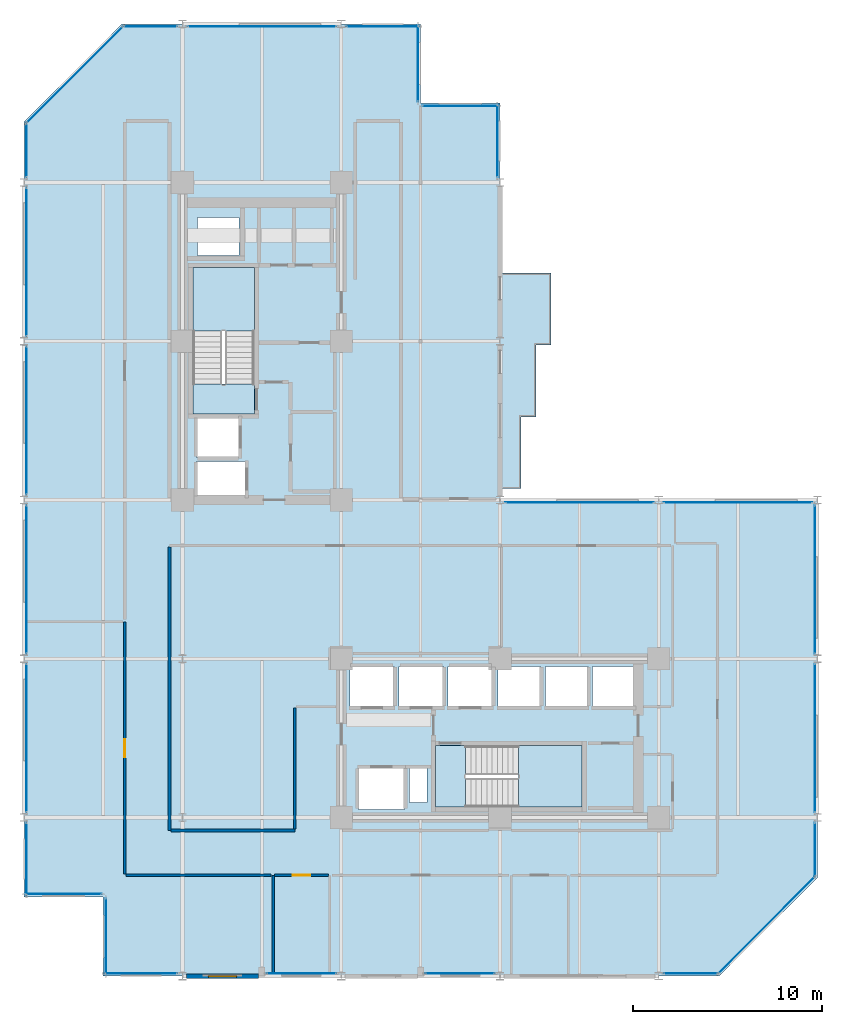
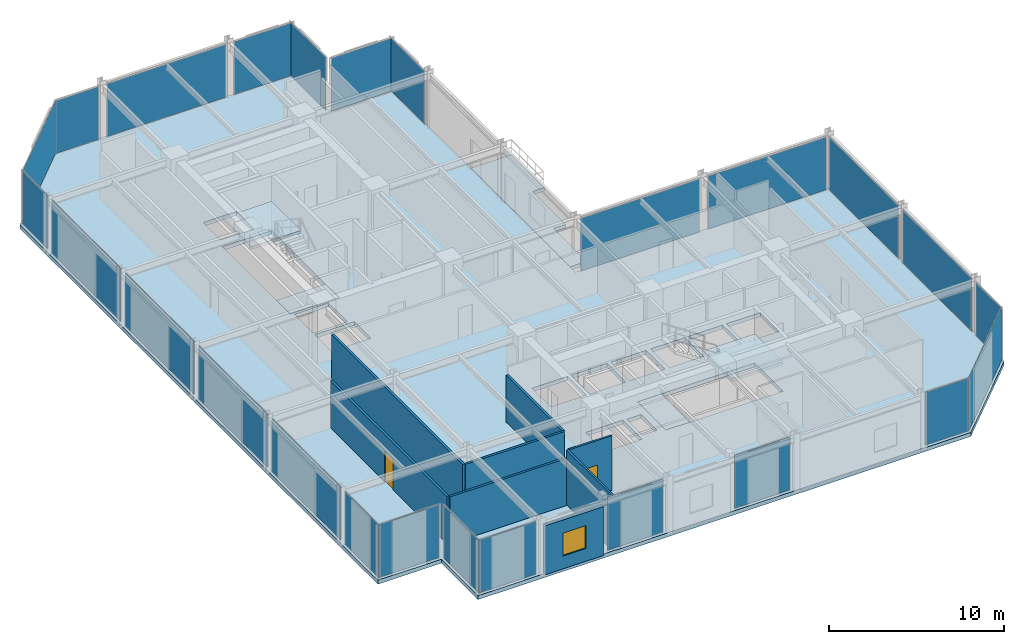
# One storey, part 23 of 29: 25 plates, 8 walls, 6 slabs, 2 doors, 1 window, 3 openings, 27 elements without a shape of their own.
"""IFC4 building model written with IfcOpenShell, lengths in metres."""

from ifc_helpers import new_model, si_unit, direction, frame, frame_2d, origin, origin_2d, place, context, subcontext, project, spatial, polyline, rectangle, outline, extrude, material, layer, layer_set, type_object, element, fill, aggregate, save


model = new_model("IFC4")

# Units and contexts
model_context = context("Model", 3, precision=1e-05, world=origin(), true_north=direction((0.0, 1.0)))
body_context = subcontext(model_context, "Body", "Model", "MODEL_VIEW")
ifc_project = project(units=[si_unit("LENGTHUNIT", "METRE"), si_unit("AREAUNIT", "SQUARE_METRE"), si_unit("VOLUMEUNIT", "CUBIC_METRE"), si_unit("PLANEANGLEUNIT", "RADIAN"), si_unit("MASSUNIT", "GRAM", prefix="KILO")], contexts=[model_context])

# Site, building, storey
site_placement = place(None, origin())
site = spatial("IfcSite", under=ifc_project, at=site_placement, CompositionType="ELEMENT")
building_placement = place(site_placement, origin())
building = spatial("IfcBuilding", under=site, at=building_placement, Name="Nerrivon Quay Data Exchange", CompositionType="ELEMENT")
storey_placement = place(building_placement, frame((0.0, 0.0, 125.39990234375)))
storey = spatial("IfcBuildingStorey", under=building, at=storey_placement, Name="L29", CompositionType="ELEMENT", Elevation=125.39990234375)

# Curtain wall, plate
ifc_material_1 = material(Name="Anodised aluminium 6063-T6", Category="aluminium")
ifc_layer_1 = layer(ifc_material_1, 0.2099609375)
ifc_layer_set_1 = layer_set([ifc_layer_1], Name="Anodised aluminium 6063-T6")
curtain_wall_type = type_object("IfcCurtainWallType", Name="CW-SYS-02", PredefinedType="NOTDEFINED", material=ifc_layer_set_1)
curtain_wall_1_placement = place(storey_placement, origin())
curtain_wall_1 = element("IfcCurtainWall", 1, at=curtain_wall_1_placement, inside=storey, type_object=curtain_wall_type, Name="L29 Unitised Curtain Wall 1", PredefinedType="NOTDEFINED")
ifc_material_2 = material(Name="Double-glazed low-E solar control glass", Category="glass")
ifc_layer_2 = layer(ifc_material_2, 0.028076171875)
ifc_layer_set_2 = layer_set([ifc_layer_2], Name="Double-glazed low-E solar control glass")
plate_type = type_object("IfcPlateType", Name="CWP-GLZ-28", PredefinedType="CURTAIN_PANEL", material=ifc_layer_set_2)
plate_1_placement = place(storey_placement, frame((39.301025390625, 2.698974609375, 0.06494140625), z_axis=(0.0, 0.0, 1.0), x_axis=(-0.707106781187, -0.707106781187, 0.0)))
plate_1 = element("IfcPlate", 2, at=plate_1_placement, type_object=plate_type, Name="CW02 panel 1.1", PredefinedType="CURTAIN_PANEL", context=body_context, shape_type="SweptSolid", body=[
    extrude(rectangle(XDim=7.203857421875, YDim=0.028076171875, at=origin_2d()), origin(), (0.0, 0.0, 1.0), 3.695068359375),
])
aggregate(curtain_wall_1, [plate_1])

curtain_wall_2_placement = place(storey_placement, origin())
curtain_wall_2 = element("IfcCurtainWall", 3, at=curtain_wall_2_placement, inside=storey, type_object=curtain_wall_type, Name="L29 Unitised Curtain Wall 2", PredefinedType="NOTDEFINED")
plate_2_placement = place(storey_placement, frame((35.300048828125, 0.139892578125, 0.06494140625), z_axis=(0.0, 0.0, 1.0), x_axis=(-1.0, 0.0, 0.0)))
plate_2 = element("IfcPlate", 4, at=plate_2_placement, type_object=plate_type, Name="CW02 panel 1.1", PredefinedType="CURTAIN_PANEL", context=body_context, shape_type="SweptSolid", body=[
    extrude(rectangle(XDim=2.85009765625, YDim=0.028076171875, at=origin_2d()), origin(), (0.0, 0.0, 1.0), 3.695068359375),
])
aggregate(curtain_wall_2, [plate_2])

curtain_wall_3_placement = place(storey_placement, origin())
curtain_wall_3 = element("IfcCurtainWall", 5, at=curtain_wall_3_placement, inside=storey, type_object=curtain_wall_type, Name="L29 Unitised Curtain Wall 4", PredefinedType="NOTDEFINED")
plate_3_placement = place(storey_placement, frame((23.08740234375, 0.139892578125, 0.06494140625), z_axis=(0.0, 0.0, 1.0), x_axis=(-1.0, 0.0, 0.0)))
plate_3 = element("IfcPlate", 6, at=plate_3_placement, type_object=plate_type, Name="CW02 panel 1.1", PredefinedType="CURTAIN_PANEL", context=body_context, shape_type="SweptSolid", body=[
    extrude(rectangle(XDim=3.675048828125, YDim=0.028076171875, at=origin_2d()), origin(), (0.0, 0.0, 1.0), 3.695068359375),
])
aggregate(curtain_wall_3, [plate_3])

curtain_wall_4_placement = place(storey_placement, origin())
curtain_wall_4 = element("IfcCurtainWall", 7, at=curtain_wall_4_placement, inside=storey, type_object=curtain_wall_type, Name="L29 Unitised Curtain Wall 6", PredefinedType="NOTDEFINED")
plate_4_placement = place(storey_placement, frame((14.6875, 0.139892578125, 0.06494140625), z_axis=(0.0, 0.0, 1.0), x_axis=(-1.0, 0.0, 0.0)))
plate_4 = element("IfcPlate", 8, at=plate_4_placement, type_object=plate_type, Name="CW02 panel 1.1", PredefinedType="CURTAIN_PANEL", context=body_context, shape_type="SweptSolid", body=[
    extrude(rectangle(XDim=3.675048828125, YDim=0.028076171875, at=origin_2d()), origin(), (0.0, 0.0, 1.0), 3.695068359375),
])
aggregate(curtain_wall_4, [plate_4])

curtain_wall_5_placement = place(storey_placement, origin())
curtain_wall_5 = element("IfcCurtainWall", 9, at=curtain_wall_5_placement, inside=storey, type_object=curtain_wall_type, Name="L29 Unitised Curtain Wall 8", PredefinedType="NOTDEFINED")
plate_5_placement = place(storey_placement, frame((6.199951171875, 0.139892578125, 0.06494140625), z_axis=(0.0, 0.0, 1.0), x_axis=(-1.0, 0.0, 0.0)))
plate_5 = element("IfcPlate", 10, at=plate_5_placement, type_object=plate_type, Name="CW02 panel 1.1", PredefinedType="CURTAIN_PANEL", context=body_context, shape_type="SweptSolid", body=[
    extrude(rectangle(XDim=3.85009765625, YDim=0.028076171875, at=origin_2d()), origin(), (0.0, 0.0, 1.0), 3.695068359375),
])
aggregate(curtain_wall_5, [plate_5])

curtain_wall_6_placement = place(storey_placement, origin())
curtain_wall_6 = element("IfcCurtainWall", 11, at=curtain_wall_6_placement, inside=storey, type_object=curtain_wall_type, Name="L29 Unitised Curtain Wall 9", PredefinedType="NOTDEFINED")
plate_6_placement = place(storey_placement, frame((4.340087890625, 2.10009765625, 0.06494140625), z_axis=(0.0, 0.0, 1.0), x_axis=(0.0, 1.0, 0.0)))
plate_6 = element("IfcPlate", 12, at=plate_6_placement, type_object=plate_type, Name="CW02 panel 1.1", PredefinedType="CURTAIN_PANEL", context=body_context, shape_type="SweptSolid", body=[
    extrude(rectangle(XDim=4.050048828125, YDim=0.028076171875, at=origin_2d()), origin(), (0.0, 0.0, 1.0), 3.695068359375),
])
aggregate(curtain_wall_6, [plate_6])

curtain_wall_7_placement = place(storey_placement, origin())
curtain_wall_7 = element("IfcCurtainWall", 13, at=curtain_wall_7_placement, inside=storey, type_object=curtain_wall_type, Name="L29 Unitised Curtain Wall 10", PredefinedType="NOTDEFINED")
plate_7_placement = place(storey_placement, frame((2.10009765625, 4.340087890625, 0.06494140625), z_axis=(0.0, 0.0, 1.0), x_axis=(-1.0, 0.0, 0.0)))
plate_7 = element("IfcPlate", 14, at=plate_7_placement, type_object=plate_type, Name="CW02 panel 1.1", PredefinedType="CURTAIN_PANEL", context=body_context, shape_type="SweptSolid", body=[
    extrude(rectangle(XDim=4.050048828125, YDim=0.028076171875, at=origin_2d()), origin(), (0.0, 0.0, 1.0), 3.695068359375),
])
aggregate(curtain_wall_7, [plate_7])

curtain_wall_8_placement = place(storey_placement, origin())
curtain_wall_8 = element("IfcCurtainWall", 15, at=curtain_wall_8_placement, inside=storey, type_object=curtain_wall_type, Name="L29 Unitised Curtain Wall 11", PredefinedType="NOTDEFINED")
plate_8_placement = place(storey_placement, frame((0.139892578125, 6.199951171875, 0.06494140625), z_axis=(0.0, 0.0, 1.0), x_axis=(0.0, 1.0, 0.0)))
plate_8 = element("IfcPlate", 16, at=plate_8_placement, type_object=plate_type, Name="CW02 panel 1.1", PredefinedType="CURTAIN_PANEL", context=body_context, shape_type="SweptSolid", body=[
    extrude(rectangle(XDim=3.85009765625, YDim=0.028076171875, at=origin_2d()), origin(), (0.0, 0.0, 1.0), 3.695068359375),
])
aggregate(curtain_wall_8, [plate_8])

curtain_wall_9_placement = place(storey_placement, origin())
curtain_wall_9 = element("IfcCurtainWall", 17, at=curtain_wall_9_placement, inside=storey, type_object=curtain_wall_type, Name="L29 Unitised Curtain Wall 12", PredefinedType="NOTDEFINED")
plate_9_placement = place(storey_placement, frame((0.139892578125, 12.60009765625, 0.06494140625), z_axis=(0.0, 0.0, 1.0), x_axis=(0.0, 1.0, 0.0)))
plate_9 = element("IfcPlate", 18, at=plate_9_placement, type_object=plate_type, Name="CW02 panel 1.1", PredefinedType="CURTAIN_PANEL", context=body_context, shape_type="SweptSolid", body=[
    extrude(rectangle(XDim=7.85009765625, YDim=0.028076171875, at=origin_2d()), origin(), (0.0, 0.0, 1.0), 3.695068359375),
])
aggregate(curtain_wall_9, [plate_9])

curtain_wall_10_placement = place(storey_placement, origin())
curtain_wall_10 = element("IfcCurtainWall", 19, at=curtain_wall_10_placement, inside=storey, type_object=curtain_wall_type, Name="L29 Unitised Curtain Wall 13", PredefinedType="NOTDEFINED")
plate_10_placement = place(storey_placement, frame((0.139892578125, 21.0, 0.06494140625), z_axis=(0.0, 0.0, 1.0), x_axis=(0.0, 1.0, 0.0)))
plate_10 = element("IfcPlate", 20, at=plate_10_placement, type_object=plate_type, Name="CW02 panel 1.1", PredefinedType="CURTAIN_PANEL", context=body_context, shape_type="SweptSolid", body=[
    extrude(rectangle(XDim=7.85009765625, YDim=0.028076171875, at=origin_2d()), origin(), (0.0, 0.0, 1.0), 3.695068359375),
])
aggregate(curtain_wall_10, [plate_10])

curtain_wall_11_placement = place(storey_placement, origin())
curtain_wall_11 = element("IfcCurtainWall", 21, at=curtain_wall_11_placement, inside=storey, type_object=curtain_wall_type, Name="L29 Unitised Curtain Wall 14", PredefinedType="NOTDEFINED")
plate_11_placement = place(storey_placement, frame((0.139892578125, 29.39990234375, 0.06494140625), z_axis=(0.0, 0.0, 1.0), x_axis=(0.0, 1.0, 0.0)))
plate_11 = element("IfcPlate", 22, at=plate_11_placement, type_object=plate_type, Name="CW02 panel 1.1", PredefinedType="CURTAIN_PANEL", context=body_context, shape_type="SweptSolid", body=[
    extrude(rectangle(XDim=7.85009765625, YDim=0.028076171875, at=origin_2d()), origin(), (0.0, 0.0, 1.0), 3.695068359375),
])
aggregate(curtain_wall_11, [plate_11])

curtain_wall_12_placement = place(storey_placement, origin())
curtain_wall_12 = element("IfcCurtainWall", 23, at=curtain_wall_12_placement, inside=storey, type_object=curtain_wall_type, Name="L29 Unitised Curtain Wall 15", PredefinedType="NOTDEFINED")
plate_12_placement = place(storey_placement, frame((0.139892578125, 37.800048828125, 0.06494140625), z_axis=(0.0, 0.0, 1.0), x_axis=(0.0, 1.0, 0.0)))
plate_12 = element("IfcPlate", 24, at=plate_12_placement, type_object=plate_type, Name="CW02 panel 1.1", PredefinedType="CURTAIN_PANEL", context=body_context, shape_type="SweptSolid", body=[
    extrude(rectangle(XDim=7.85009765625, YDim=0.028076171875, at=origin_2d()), origin(), (0.0, 0.0, 1.0), 3.695068359375),
])
aggregate(curtain_wall_12, [plate_12])

curtain_wall_13_placement = place(storey_placement, origin())
curtain_wall_13 = element("IfcCurtainWall", 25, at=curtain_wall_13_placement, inside=storey, type_object=curtain_wall_type, Name="L29 Unitised Curtain Wall 16", PredefinedType="NOTDEFINED")
plate_13_placement = place(storey_placement, frame((0.139892578125, 43.699951171875, 0.06494140625), z_axis=(0.0, 0.0, 1.0), x_axis=(0.0, 1.0, 0.0)))
plate_13 = element("IfcPlate", 26, at=plate_13_placement, type_object=plate_type, Name="CW02 panel 1.1", PredefinedType="CURTAIN_PANEL", context=body_context, shape_type="SweptSolid", body=[
    extrude(rectangle(XDim=2.85009765625, YDim=0.028076171875, at=origin_2d()), origin(), (0.0, 0.0, 1.0), 3.695068359375),
])
aggregate(curtain_wall_13, [plate_13])

curtain_wall_14_placement = place(storey_placement, origin())
curtain_wall_14 = element("IfcCurtainWall", 27, at=curtain_wall_14_placement, inside=storey, type_object=curtain_wall_type, Name="L29 Unitised Curtain Wall 17", PredefinedType="NOTDEFINED")
plate_14_placement = place(storey_placement, frame((2.698974609375, 47.700927734375, 0.06494140625), z_axis=(0.0, 0.0, 1.0), x_axis=(0.707106781187, 0.707106781187, 0.0)))
plate_14 = element("IfcPlate", 28, at=plate_14_placement, type_object=plate_type, Name="CW02 panel 1.1", PredefinedType="CURTAIN_PANEL", context=body_context, shape_type="SweptSolid", body=[
    extrude(rectangle(XDim=7.203857421875, YDim=0.028076171875, at=origin_2d()), origin(), (0.0, 0.0, 1.0), 3.695068359375),
])
aggregate(curtain_wall_14, [plate_14])

curtain_wall_15_placement = place(storey_placement, origin())
curtain_wall_15 = element("IfcCurtainWall", 29, at=curtain_wall_15_placement, inside=storey, type_object=curtain_wall_type, Name="L29 Unitised Curtain Wall 18", PredefinedType="NOTDEFINED")
plate_15_placement = place(storey_placement, frame((6.699951171875, 50.260009765625, 0.06494140625), z_axis=(0.0, 0.0, 1.0), x_axis=(1.0, 0.0, 0.0)))
plate_15 = element("IfcPlate", 30, at=plate_15_placement, type_object=plate_type, Name="CW02 panel 1.1", PredefinedType="CURTAIN_PANEL", context=body_context, shape_type="SweptSolid", body=[
    extrude(rectangle(XDim=2.85009765625, YDim=0.028076171875, at=origin_2d()), origin(), (0.0, 0.0, 1.0), 3.695068359375),
])
aggregate(curtain_wall_15, [plate_15])

curtain_wall_16_placement = place(storey_placement, origin())
curtain_wall_16 = element("IfcCurtainWall", 31, at=curtain_wall_16_placement, inside=storey, type_object=curtain_wall_type, Name="L29 Unitised Curtain Wall 19", PredefinedType="NOTDEFINED")
plate_16_placement = place(storey_placement, frame((12.60009765625, 50.260009765625, 0.06494140625), z_axis=(0.0, 0.0, 1.0), x_axis=(1.0, 0.0, 0.0)))
plate_16 = element("IfcPlate", 32, at=plate_16_placement, type_object=plate_type, Name="CW02 panel 1.1", PredefinedType="CURTAIN_PANEL", context=body_context, shape_type="SweptSolid", body=[
    extrude(rectangle(XDim=7.85009765625, YDim=0.028076171875, at=origin_2d()), origin(), (0.0, 0.0, 1.0), 3.695068359375),
])
aggregate(curtain_wall_16, [plate_16])

curtain_wall_17_placement = place(storey_placement, origin())
curtain_wall_17 = element("IfcCurtainWall", 33, at=curtain_wall_17_placement, inside=storey, type_object=curtain_wall_type, Name="L29 Unitised Curtain Wall 20", PredefinedType="NOTDEFINED")
plate_17_placement = place(storey_placement, frame((19.0, 50.260009765625, 0.06494140625), z_axis=(0.0, 0.0, 1.0), x_axis=(1.0, 0.0, 0.0)))
plate_17 = element("IfcPlate", 34, at=plate_17_placement, type_object=plate_type, Name="CW02 panel 1.1", PredefinedType="CURTAIN_PANEL", context=body_context, shape_type="SweptSolid", body=[
    extrude(rectangle(XDim=3.85009765625, YDim=0.028076171875, at=origin_2d()), origin(), (0.0, 0.0, 1.0), 3.695068359375),
])
aggregate(curtain_wall_17, [plate_17])

curtain_wall_18_placement = place(storey_placement, origin())
curtain_wall_18 = element("IfcCurtainWall", 35, at=curtain_wall_18_placement, inside=storey, type_object=curtain_wall_type, Name="L29 Unitised Curtain Wall 21", PredefinedType="NOTDEFINED")
plate_18_placement = place(storey_placement, frame((20.860107421875, 48.300048828125, 0.06494140625), z_axis=(0.0, 0.0, 1.0), x_axis=(0.0, -1.0, 0.0)))
plate_18 = element("IfcPlate", 36, at=plate_18_placement, type_object=plate_type, Name="CW02 panel 1.1", PredefinedType="CURTAIN_PANEL", context=body_context, shape_type="SweptSolid", body=[
    extrude(rectangle(XDim=4.050048828125, YDim=0.028076171875, at=origin_2d()), origin(), (0.0, 0.0, 1.0), 3.695068359375),
])
aggregate(curtain_wall_18, [plate_18])

curtain_wall_19_placement = place(storey_placement, origin())
curtain_wall_19 = element("IfcCurtainWall", 37, at=curtain_wall_19_placement, inside=storey, type_object=curtain_wall_type, Name="L29 Unitised Curtain Wall 22", PredefinedType="NOTDEFINED")
plate_19_placement = place(storey_placement, frame((23.10009765625, 46.06005859375, 0.06494140625), z_axis=(0.0, 0.0, 1.0), x_axis=(1.0, 0.0, 0.0)))
plate_19 = element("IfcPlate", 38, at=plate_19_placement, type_object=plate_type, Name="CW02 panel 1.1", PredefinedType="CURTAIN_PANEL", context=body_context, shape_type="SweptSolid", body=[
    extrude(rectangle(XDim=4.050048828125, YDim=0.028076171875, at=origin_2d()), origin(), (0.0, 0.0, 1.0), 3.695068359375),
])
aggregate(curtain_wall_19, [plate_19])

curtain_wall_20_placement = place(storey_placement, origin())
curtain_wall_20 = element("IfcCurtainWall", 39, at=curtain_wall_20_placement, inside=storey, type_object=curtain_wall_type, Name="L29 Unitised Curtain Wall 23", PredefinedType="NOTDEFINED")
plate_20_placement = place(storey_placement, frame((25.06005859375, 44.199951171875, 0.06494140625), z_axis=(0.0, 0.0, 1.0), x_axis=(0.0, -1.0, 0.0)))
plate_20 = element("IfcPlate", 40, at=plate_20_placement, type_object=plate_type, Name="CW02 panel 1.1", PredefinedType="CURTAIN_PANEL", context=body_context, shape_type="SweptSolid", body=[
    extrude(rectangle(XDim=3.85009765625, YDim=0.028076171875, at=origin_2d()), origin(), (0.0, 0.0, 1.0), 3.695068359375),
])
aggregate(curtain_wall_20, [plate_20])

curtain_wall_21_placement = place(storey_placement, origin())
curtain_wall_21 = element("IfcCurtainWall", 41, at=curtain_wall_21_placement, inside=storey, type_object=curtain_wall_type, Name="L29 Unitised Curtain Wall 26", PredefinedType="NOTDEFINED")
plate_21_placement = place(storey_placement, frame((29.39990234375, 25.06005859375, 0.06494140625), z_axis=(0.0, 0.0, 1.0), x_axis=(1.0, 0.0, 0.0)))
plate_21 = element("IfcPlate", 42, at=plate_21_placement, type_object=plate_type, Name="CW02 panel 1.1", PredefinedType="CURTAIN_PANEL", context=body_context, shape_type="SweptSolid", body=[
    extrude(rectangle(XDim=7.85009765625, YDim=0.028076171875, at=origin_2d()), origin(), (0.0, 0.0, 1.0), 3.695068359375),
])
aggregate(curtain_wall_21, [plate_21])

curtain_wall_22_placement = place(storey_placement, origin())
curtain_wall_22 = element("IfcCurtainWall", 43, at=curtain_wall_22_placement, inside=storey, type_object=curtain_wall_type, Name="L29 Unitised Curtain Wall 27", PredefinedType="NOTDEFINED")
plate_22_placement = place(storey_placement, frame((37.800048828125, 25.06005859375, 0.06494140625), z_axis=(0.0, 0.0, 1.0), x_axis=(1.0, 0.0, 0.0)))
plate_22 = element("IfcPlate", 44, at=plate_22_placement, type_object=plate_type, Name="CW02 panel 1.1", PredefinedType="CURTAIN_PANEL", context=body_context, shape_type="SweptSolid", body=[
    extrude(rectangle(XDim=7.85009765625, YDim=0.028076171875, at=origin_2d()), origin(), (0.0, 0.0, 1.0), 3.695068359375),
])
aggregate(curtain_wall_22, [plate_22])

curtain_wall_23_placement = place(storey_placement, origin())
curtain_wall_23 = element("IfcCurtainWall", 45, at=curtain_wall_23_placement, inside=storey, type_object=curtain_wall_type, Name="L29 Unitised Curtain Wall 28", PredefinedType="NOTDEFINED")
plate_23_placement = place(storey_placement, frame((41.860107421875, 21.0, 0.06494140625), z_axis=(0.0, 0.0, 1.0), x_axis=(0.0, -1.0, 0.0)))
plate_23 = element("IfcPlate", 46, at=plate_23_placement, type_object=plate_type, Name="CW02 panel 1.1", PredefinedType="CURTAIN_PANEL", context=body_context, shape_type="SweptSolid", body=[
    extrude(rectangle(XDim=7.85009765625, YDim=0.028076171875, at=origin_2d()), origin(), (0.0, 0.0, 1.0), 3.695068359375),
])
aggregate(curtain_wall_23, [plate_23])

curtain_wall_24_placement = place(storey_placement, origin())
curtain_wall_24 = element("IfcCurtainWall", 47, at=curtain_wall_24_placement, inside=storey, type_object=curtain_wall_type, Name="L29 Unitised Curtain Wall 29", PredefinedType="NOTDEFINED")
plate_24_placement = place(storey_placement, frame((41.860107421875, 12.60009765625, 0.06494140625), z_axis=(0.0, 0.0, 1.0), x_axis=(0.0, -1.0, 0.0)))
plate_24 = element("IfcPlate", 48, at=plate_24_placement, type_object=plate_type, Name="CW02 panel 1.1", PredefinedType="CURTAIN_PANEL", context=body_context, shape_type="SweptSolid", body=[
    extrude(rectangle(XDim=7.85009765625, YDim=0.028076171875, at=origin_2d()), origin(), (0.0, 0.0, 1.0), 3.695068359375),
])
aggregate(curtain_wall_24, [plate_24])

curtain_wall_25_placement = place(storey_placement, origin())
curtain_wall_25 = element("IfcCurtainWall", 49, at=curtain_wall_25_placement, inside=storey, type_object=curtain_wall_type, Name="L29 Unitised Curtain Wall 30", PredefinedType="NOTDEFINED")
plate_25_placement = place(storey_placement, frame((41.860107421875, 6.699951171875, 0.06494140625), z_axis=(0.0, 0.0, 1.0), x_axis=(0.0, -1.0, 0.0)))
plate_25 = element("IfcPlate", 50, at=plate_25_placement, type_object=plate_type, Name="CW02 panel 1.1", PredefinedType="CURTAIN_PANEL", context=body_context, shape_type="SweptSolid", body=[
    extrude(rectangle(XDim=2.85009765625, YDim=0.028076171875, at=origin_2d()), origin(), (0.0, 0.0, 1.0), 3.695068359375),
])
aggregate(curtain_wall_25, [plate_25])

# Slab
ifc_material_3 = material(Name="Precast white architectural concrete N50 (50 MPa)", Category="concrete")
ifc_layer_3 = layer(ifc_material_3, 0.25)
ifc_layer_set_3 = layer_set([ifc_layer_3], Name="Precast white architectural concrete N50 (50 MPa)")
slab_type_1 = type_object("IfcSlabType", Name="SLB-BAL-250", PredefinedType="FLOOR", material=ifc_layer_set_3)
slab_1_placement = place(storey_placement, frame((0.0, 0.0, -0.25)))
element("IfcSlab", 51, at=slab_1_placement, inside=storey, type_object=slab_type_1, Name="L29 Waterfront Subtropical Verandah", PredefinedType="FLOOR", context=body_context, shape_type="SweptSolid", body=[
    extrude(outline(polyline([(26.300048828125, 29.60009765625), (27.10009765625, 29.60009765625), (27.10009765625, 33.39990234375), (27.89990234375, 33.39990234375), (27.89990234375, 37.199951171875), (25.199951171875, 37.199951171875), (25.199951171875, 33.39990234375), (25.199951171875, 29.60009765625), (25.199951171875, 25.800048828125), (26.300048828125, 25.800048828125), (26.300048828125, 29.60009765625)])), origin(), (0.0, 0.0, 1.0), 0.25),
])

# Stair, slab
ifc_material_4 = material(Name="Concrete N50 (50 MPa)", Category="concrete")
stair_type = type_object("IfcStairType", Name="STAIR-DOG-41", PredefinedType="HALF_TURN_STAIR", material=ifc_material_4)
stair_1_placement = place(storey_placement, origin())
stair_1 = element("IfcStair", 52, at=stair_1_placement, inside=storey, type_object=stair_type, Name="L29 West Core Fire Stair ST01", PredefinedType="HALF_TURN_STAIR")
ifc_layer_4 = layer(ifc_material_4, 0.199951171875)
ifc_layer_set_4 = layer_set([ifc_layer_4], Name="Concrete N50 (50 MPa)")
slab_type_2 = type_object("IfcSlabType", Name="SLB-LAND-200", PredefinedType="LANDING", material=ifc_layer_set_4)
slab_2_placement = place(storey_placement, frame((0.0, 0.0, 1.85009765625)))
slab_2 = element("IfcSlab", 53, at=slab_2_placement, type_object=slab_type_2, Name="ST01 landing 1", PredefinedType="LANDING", context=body_context, shape_type="SweptSolid", body=[
    extrude(outline(polyline([(12.199951171875, 34.1298828125), (12.199951171875, 37.5), (8.949951171875, 37.5), (8.949951171875, 34.1298828125), (12.199951171875, 34.1298828125)])), origin(), (0.0, 0.0, 1.0), 0.199951171875),
])
aggregate(stair_1, [slab_2])

# Slab
slab_3_placement = place(storey_placement, frame((0.0, 0.0, -0.199951171875)))
element("IfcSlab", 54, at=slab_3_placement, inside=storey, type_object=slab_type_2, Name="L29 ST01 floor landing", PredefinedType="LANDING", context=body_context, shape_type="SweptSolid", body=[
    extrude(outline(polyline([(12.199951171875, 29.75), (12.199951171875, 31.330078125), (8.949951171875, 31.330078125), (8.949951171875, 29.75), (12.199951171875, 29.75)])), origin(), (0.0, 0.0, 1.0), 0.199951171875),
])

# Stair, slab
stair_2_placement = place(storey_placement, origin())
stair_2 = element("IfcStair", 55, at=stair_2_placement, inside=storey, type_object=stair_type, Name="L29 East Core Fire Stair ST02", PredefinedType="HALF_TURN_STAIR")
slab_4_placement = place(storey_placement, frame((0.0, 0.0, 1.85009765625)))
slab_4 = element("IfcSlab", 56, at=slab_4_placement, type_object=slab_type_2, Name="ST02 landing 1", PredefinedType="LANDING", context=body_context, shape_type="SweptSolid", body=[
    extrude(outline(polyline([(26.179931640625, 8.949951171875), (29.550048828125, 8.949951171875), (29.550048828125, 12.199951171875), (26.179931640625, 12.199951171875), (26.179931640625, 8.949951171875)])), origin(), (0.0, 0.0, 1.0), 0.199951171875),
])
aggregate(stair_2, [slab_4])

# Slabs
slab_5_placement = place(storey_placement, frame((0.0, 0.0, -0.199951171875)))
element("IfcSlab", 57, at=slab_5_placement, inside=storey, type_object=slab_type_2, Name="L29 ST02 floor landing", PredefinedType="LANDING", context=body_context, shape_type="SweptSolid", body=[
    extrude(outline(polyline([(21.800048828125, 8.949951171875), (23.3798828125, 8.949951171875), (23.3798828125, 12.199951171875), (21.800048828125, 12.199951171875), (21.800048828125, 8.949951171875)])), origin(), (0.0, 0.0, 1.0), 0.199951171875),
])
ifc_layer_5 = layer(ifc_material_4, 0.27490234375)
ifc_layer_set_5 = layer_set([ifc_layer_5], Name="Concrete N50 (50 MPa)")
slab_type_3 = type_object("IfcSlabType", Name="SLB-TOW-275", PredefinedType="FLOOR", material=ifc_layer_set_5)
slab_6_placement = place(storey_placement, frame((0.0, 0.0, -0.27490234375)))
element("IfcSlab", 58, at=slab_6_placement, inside=storey, type_object=slab_type_3, Name="L29 Primary Structural Slab", PredefinedType="FLOOR", context=body_context, shape_type="SweptSolid", body=[
    extrude(outline(polyline([(42.0, 25.199951171875), (25.199951171875, 25.199951171875), (25.199951171875, 46.199951171875), (21.0, 46.199951171875), (21.0, 50.39990234375), (5.199951171875, 50.39990234375), (0.0, 45.199951171875), (0.0, 4.199951171875), (4.199951171875, 4.199951171875), (4.199951171875, 0.0), (36.800048828125, 0.0), (42.0, 5.199951171875), (42.0, 25.199951171875)]), holes=[polyline([(8.949951171875, 29.75), (8.949951171875, 37.5), (12.199951171875, 37.5), (12.199951171875, 29.75), (8.949951171875, 29.75)]), polyline([(21.800048828125, 12.199951171875), (29.550048828125, 12.199951171875), (29.550048828125, 8.949951171875), (21.800048828125, 8.949951171875), (21.800048828125, 12.199951171875)]), polyline([(30.10009765625, 16.39990234375), (32.35009765625, 16.39990234375), (32.35009765625, 14.25), (30.10009765625, 14.25), (30.10009765625, 16.39990234375)]), polyline([(27.60009765625, 16.39990234375), (29.85009765625, 16.39990234375), (29.85009765625, 14.25), (27.60009765625, 14.25), (27.60009765625, 16.39990234375)]), polyline([(25.10009765625, 14.25), (25.10009765625, 16.39990234375), (27.35009765625, 16.39990234375), (27.35009765625, 14.25), (25.10009765625, 14.25)]), polyline([(22.449951171875, 16.39990234375), (24.800048828125, 16.39990234375), (24.800048828125, 14.25), (22.449951171875, 14.25), (22.449951171875, 16.39990234375)]), polyline([(19.85009765625, 16.39990234375), (22.199951171875, 16.39990234375), (22.199951171875, 14.25), (19.85009765625, 14.25), (19.85009765625, 16.39990234375)]), polyline([(20.39990234375, 9.199951171875), (20.39990234375, 11.0), (21.35009765625, 11.0), (21.35009765625, 9.199951171875), (20.39990234375, 9.199951171875)]), polyline([(17.699951171875, 8.830078125), (17.699951171875, 11.030029296875), (20.14990234375, 11.030029296875), (20.14990234375, 8.830078125), (17.699951171875, 8.830078125)]), polyline([(17.25, 14.25), (17.25, 16.39990234375), (19.60009765625, 16.39990234375), (19.60009765625, 14.25), (17.25, 14.25)]), polyline([(9.14990234375, 27.25), (11.75, 27.25), (11.75, 25.35009765625), (9.14990234375, 25.35009765625), (9.14990234375, 27.25)]), polyline([(9.14990234375, 29.60009765625), (11.39990234375, 29.60009765625), (11.39990234375, 27.449951171875), (9.14990234375, 27.449951171875), (9.14990234375, 29.60009765625)]), polyline([(9.199951171875, 38.14990234375), (9.199951171875, 40.14990234375), (11.39990234375, 40.14990234375), (11.39990234375, 38.14990234375), (9.199951171875, 38.14990234375)])]), origin(), (0.0, 0.0, 1.0), 0.27490234375),
])

# Wall, opening, window
ifc_material_5 = material(Name="Architectural terracotta precast concrete N50 (50 MPa)", Category="masonry")
ifc_layer_6 = layer(ifc_material_5, 0.239990234375)
ifc_layer_set_6 = layer_set([ifc_layer_6], Name="Architectural terracotta precast concrete N50 (50 MPa)")
wall_type_1 = type_object("IfcWallType", Name="EW-PREC-240", PredefinedType="STANDARD", material=ifc_layer_set_6)
wall_1_placement = place(storey_placement, frame((12.425048828125, 0.0, 0.0), z_axis=(0.0, 0.0, 1.0), x_axis=(-1.0, 0.0, 0.0)))
wall_1 = element("IfcWall", 59, at=wall_1_placement, inside=storey, type_object=wall_type_1, Name="L29 Podium Precast Spandrel Wall 7", PredefinedType="STANDARD", context=body_context, shape_type="SweptSolid", body=[
    extrude(rectangle(XDim=3.824951171875, YDim=0.239990234375, at=frame_2d((1.91259765625, 0.0))), origin(), (0.0, 0.0, 1.0), 3.422119140625),
])
opening_1_placement = place(wall_1_placement, frame((1.16259765625, 0.0, 0.89990234375)))
opening_1 = element("IfcOpeningElement", 60, at=opening_1_placement, cuts=wall_1, Name="Opening WN4", PredefinedType="OPENING", context=body_context, shape_type="SweptSolid", body=[
    extrude(rectangle(XDim=1.5, YDim=1.60009765625, at=frame_2d((0.75, 0.800048828125))), frame((0.0, 0.1298828125, 0.0), z_axis=(0.0, -1.0, 0.0), x_axis=(1.0, 0.0, 0.0)), (0.0, 0.0, 1.0), 0.260009765625),
])
window_type = type_object("IfcWindowType", Name="WIN-W4-1500x1600", PartitioningType="SINGLE_PANEL", PredefinedType="WINDOW", material=ifc_material_2)
window_placement = place(opening_1_placement, origin())
window = element("IfcWindow", 61, at=window_placement, inside=storey, type_object=window_type, Name="L29 Solar Facade Window 7", OverallHeight=1.60009765625, OverallWidth=1.5, PartitioningType="SINGLE_PANEL", PredefinedType="WINDOW", context=body_context, shape_type="SweptSolid", body=[
    extrude(rectangle(XDim=1.5, YDim=1.60009765625, at=frame_2d((0.75, 0.800048828125))), frame((0.0, 0.030029296875, 0.0), z_axis=(0.0, -1.0, 0.0), x_axis=(1.0, 0.0, 0.0)), (0.0, 0.0, 1.0), 0.06005859375),
])
fill(opening_1, window)

# Wall, opening, door
ifc_material_6 = material(Name="Gypsum plasterboard on cold-formed framing", Category="gypsum")
ifc_layer_7 = layer(ifc_material_6, 0.1201171875)
ifc_layer_set_7 = layer_set([ifc_layer_7], Name="Gypsum plasterboard on cold-formed framing")
wall_type_2 = type_object("IfcWallType", Name="WALL-PT-120", PredefinedType="PARTITIONING", material=ifc_layer_set_7)
wall_2_placement = place(storey_placement, frame((16.12841796875, 5.340087890625, 0.0), z_axis=(0.0, 0.0, 1.0), x_axis=(-1.0, 0.0, 0.0)))
wall_2 = element("IfcWall", 62, at=wall_2_placement, inside=storey, type_object=wall_type_2, Name="L29 Partition Accessible Toilet", PredefinedType="PARTITIONING", context=body_context, shape_type="SweptSolid", body=[
    extrude(rectangle(XDim=2.85693359375, YDim=0.1201171875, at=frame_2d((1.428466796875, 0.0))), origin(), (0.0, 0.0, 1.0), 3.8251953125),
])
opening_2_placement = place(wall_2_placement, frame((0.968505859375, 0.0, 0.0)))
opening_2 = element("IfcOpeningElement", 63, at=opening_2_placement, cuts=wall_2, Name="Opening D-WC", PredefinedType="OPENING", context=body_context, shape_type="SweptSolid", body=[
    extrude(rectangle(XDim=0.919921875, YDim=2.10009765625, at=frame_2d((0.4599609375, 1.050048828125))), frame((0.0, 0.070068359375, 0.0), z_axis=(0.0, -1.0, 0.0), x_axis=(1.0, 0.0, 0.0)), (0.0, 0.0, 1.0), 0.14013671875),
])
ifc_material_7 = material(Name="Engineered hardwood timber", Category="wood")
door_type_1 = type_object("IfcDoorType", Name="DR-WC-920", OperationType="NOTDEFINED", PredefinedType="DOOR", material=ifc_material_7)
door_1_placement = place(opening_2_placement, origin())
door_1 = element("IfcDoor", 64, at=door_1_placement, inside=storey, type_object=door_type_1, Name="L29 Door Accessible Toilet", OperationType="SINGLE_SWING_LEFT", OverallHeight=2.10009765625, OverallWidth=0.919921875, PredefinedType="DOOR", context=body_context, shape_type="SweptSolid", body=[
    extrude(rectangle(XDim=0.919921875, YDim=2.10009765625, at=frame_2d((0.4599609375, 1.050048828125))), frame((0.0, 0.02490234375, 0.0), z_axis=(0.0, -1.0, 0.0), x_axis=(1.0, 0.0, 0.0)), (0.0, 0.0, 1.0), 0.050048828125),
])
fill(opening_2, door_1)

# Wall
ifc_layer_8 = layer(ifc_material_6, 0.135009765625)
ifc_layer_set_8 = layer_set([ifc_layer_8], Name="Gypsum plasterboard on cold-formed framing")
wall_type_3 = type_object("IfcWallType", Name="WALL-PT-135", PredefinedType="PARTITIONING", material=ifc_layer_set_8)
wall_3_placement = place(storey_placement, frame((13.199951171875, 5.340087890625, 0.0), z_axis=(0.0, 0.0, 1.0), x_axis=(0.0, -1.0, 0.0)))
element("IfcWall", 65, at=wall_3_placement, inside=storey, type_object=wall_type_3, Name="L29 Partition Accessible Toilet", PredefinedType="PARTITIONING", context=body_context, shape_type="SweptSolid", body=[
    extrude(rectangle(XDim=5.171142578125, YDim=0.135009765625, at=frame_2d((2.58544921875, 0.0))), origin(), (0.0, 0.0, 1.0), 3.8251953125),
])

# Wall, opening, door
ifc_layer_9 = layer(ifc_material_6, 0.14990234375)
ifc_layer_set_9 = layer_set([ifc_layer_9], Name="Gypsum plasterboard on cold-formed framing")
wall_type_4 = type_object("IfcWallType", Name="WALL-PT-150", PredefinedType="PARTITIONING", material=ifc_layer_set_9)
wall_4_placement = place(storey_placement, frame((5.340087890625, 5.39990234375, 0.0), z_axis=(0.0, 0.0, 1.0), x_axis=(0.0, 1.0, 0.0)))
wall_4 = element("IfcWall", 66, at=wall_4_placement, inside=storey, type_object=wall_type_4, Name="L29 Partition Quiet Reading Room", PredefinedType="PARTITIONING", context=body_context, shape_type="SweptSolid", body=[
    extrude(rectangle(XDim=13.347412109375, YDim=0.14990234375, at=frame_2d((6.673828125, 0.0))), origin(), (0.0, 0.0, 1.0), 3.2919921875),
])
opening_3_placement = place(wall_4_placement, frame((6.198486328125, 0.0, 0.0)))
opening_3 = element("IfcOpeningElement", 67, at=opening_3_placement, cuts=wall_4, Name="Opening D-01", PredefinedType="OPENING", context=body_context, shape_type="SweptSolid", body=[
    extrude(rectangle(XDim=0.949951171875, YDim=2.14990234375, at=frame_2d((0.47509765625, 1.074951171875))), frame((0.0, 0.0849609375, 0.0), z_axis=(0.0, -1.0, 0.0), x_axis=(1.0, 0.0, 0.0)), (0.0, 0.0, 1.0), 0.169921875),
])
door_type_2 = type_object("IfcDoorType", Name="DR-INT-950", OperationType="NOTDEFINED", PredefinedType="DOOR", material=ifc_material_7)
door_2_placement = place(opening_3_placement, origin())
door_2 = element("IfcDoor", 68, at=door_2_placement, inside=storey, type_object=door_type_2, Name="L29 Door Quiet Reading Room", OperationType="SINGLE_SWING_RIGHT", OverallHeight=2.14990234375, OverallWidth=0.949951171875, PredefinedType="DOOR", context=body_context, shape_type="SweptSolid", body=[
    extrude(rectangle(XDim=0.949951171875, YDim=2.14990234375, at=frame_2d((0.47509765625, 1.074951171875))), frame((0.0, 0.02490234375, 0.0), z_axis=(0.0, -1.0, 0.0), x_axis=(1.0, 0.0, 0.0)), (0.0, 0.0, 1.0), 0.050048828125),
])
fill(opening_3, door_2)

# Walls
wall_5_placement = place(storey_placement, frame((13.080078125, 5.340087890625, 0.0), z_axis=(0.0, 0.0, 1.0), x_axis=(-1.0, 0.0, 0.0)))
element("IfcWall", 69, at=wall_5_placement, inside=storey, type_object=wall_type_4, Name="L29 Partition Quiet Reading Room", PredefinedType="PARTITIONING", context=body_context, shape_type="SweptSolid", body=[
    extrude(rectangle(XDim=7.68017578125, YDim=0.14990234375, at=frame_2d((3.840087890625, 0.0))), origin(), (0.0, 0.0, 1.0), 3.297119140625),
])
wall_6_placement = place(storey_placement, frame((7.7099609375, 22.7109375, 0.0), z_axis=(0.0, 0.0, 1.0), x_axis=(0.0, -1.0, 0.0)))
element("IfcWall", 70, at=wall_6_placement, inside=storey, type_object=wall_type_4, Name="L29 Partition Staff Bistro", PredefinedType="PARTITIONING", context=body_context, shape_type="SweptSolid", body=[
    extrude(rectangle(XDim=15.0009765625, YDim=0.14990234375, at=frame_2d((7.50048828125, 0.0))), origin(), (0.0, 0.0, 1.0), 3.2919921875),
])
wall_7_placement = place(storey_placement, frame((7.7890625, 7.7099609375, 0.0), z_axis=(0.0, 0.0, 1.0), x_axis=(1.0, 0.0, 0.0)))
element("IfcWall", 71, at=wall_7_placement, inside=storey, type_object=wall_type_4, Name="L29 Partition Staff Bistro", PredefinedType="PARTITIONING", context=body_context, shape_type="SweptSolid", body=[
    extrude(rectangle(XDim=6.551025390625, YDim=0.14990234375, at=frame_2d((3.275390625, 0.0))), origin(), (0.0, 0.0, 1.0), 3.297119140625),
])
wall_8_placement = place(storey_placement, frame((14.340087890625, 7.7890625, 0.0), z_axis=(0.0, 0.0, 1.0), x_axis=(0.0, 1.0, 0.0)))
element("IfcWall", 72, at=wall_8_placement, inside=storey, type_object=wall_type_4, Name="L29 Partition Staff Bistro", PredefinedType="PARTITIONING", context=body_context, shape_type="SweptSolid", body=[
    extrude(rectangle(XDim=6.410888671875, YDim=0.14990234375, at=frame_2d((3.20556640625, 0.0))), origin(), (0.0, 0.0, 1.0), 3.2919921875),
])

save(model, "model.ifc")
